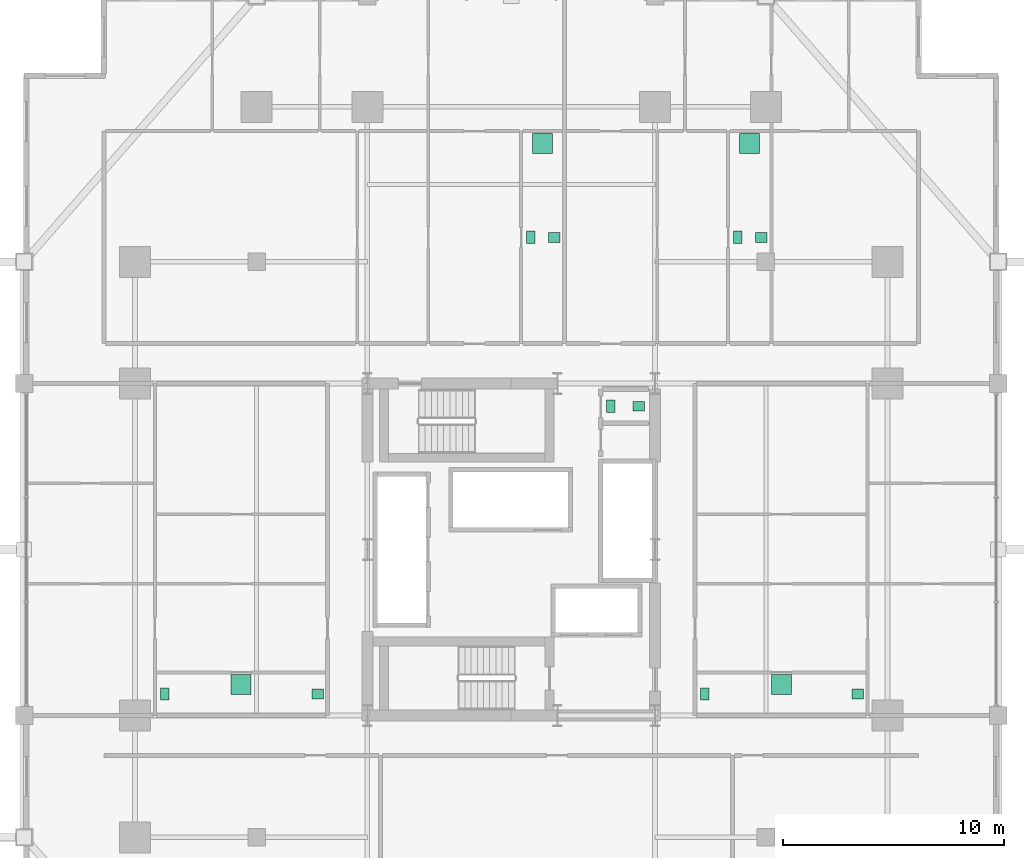
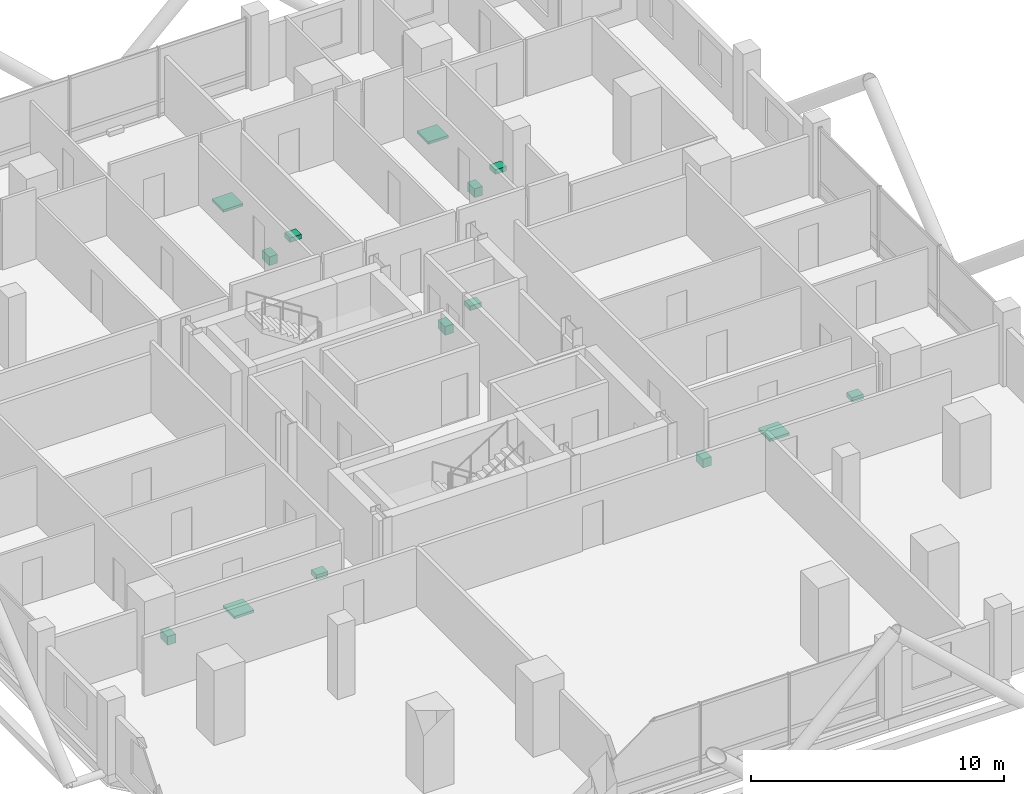
# One storey, part 27 of 27: 14 sanitary terminals.
"""IFC4 building model written with IfcOpenShell, lengths in metres."""

from ifc_helpers import new_model, si_unit, direction, frame, origin, origin_2d, place, context, subcontext, project, spatial, rectangle, extrude, material, type_object, element, save


model = new_model("IFC4")

# Units and contexts
model_context = context("Model", 3, precision=1e-05, world=origin(), true_north=direction((0.0, 1.0)))
body_context = subcontext(model_context, "Body", "Model", "MODEL_VIEW")
ifc_project = project(units=[si_unit("LENGTHUNIT", "METRE"), si_unit("AREAUNIT", "SQUARE_METRE"), si_unit("VOLUMEUNIT", "CUBIC_METRE"), si_unit("PLANEANGLEUNIT", "RADIAN"), si_unit("MASSUNIT", "GRAM", prefix="KILO")], contexts=[model_context])

# Site, building, storey
site_placement = place(None, origin())
site = spatial("IfcSite", under=ifc_project, at=site_placement, CompositionType="ELEMENT")
building_placement = place(site_placement, origin())
building = spatial("IfcBuilding", under=site, at=building_placement, Name="Barlavira Tower and Art Museum", CompositionType="ELEMENT")
storey_placement = place(building_placement, frame((0.0, 0.0, 61.199951171875)))
storey = spatial("IfcBuildingStorey", under=building, at=storey_placement, Name="L14", CompositionType="ELEMENT", Elevation=61.199951171875)

# Sanitary terminals
ifc_material = material(Name="Vitreous glazed ceramic", Category="ceramic")
sanitary_terminal_type_1 = type_object("IfcSanitaryTerminalType", Name="Countertop Ceramic Wash Hand Basin", PredefinedType="WASHHANDBASIN", material=ifc_material)
for number, where, z_axis, x_axis, name in (
    (1, (5.75, 6.47509765625, 0.740234375), (0.0, 0.0, 1.0), (1.0, 0.0, 0.0), "L14-C-WC1 Wash Basin"),
    (2, (1.93994140625, 14.10009765625, 0.740234375), (0.0, 0.0, 1.0), (1.0, 0.0, 0.0), "L14-N1-BTH1 Wash Basin"),
    (3, (11.2900390625, 14.10009765625, 0.740234375), (0.0, 0.0, 1.0), (1.0, 0.0, 0.0), "L14-N2-BTH1 Wash Basin"),
    (4, (-8.75, -6.52490234375, 0.740234375), (0.0, 0.0, 1.0), (1.0, 0.0, 0.0), "L14-W1-BTH1 Wash Basin"),
    (5, (15.64990234375, -6.52490234375, 0.740234375), (0.0, 0.0, 1.0), (1.0, 0.0, 0.0), "L14-E1-BTH1 Wash Basin"),
):
    element("IfcSanitaryTerminal", number, at=place(storey_placement, frame(where, z_axis=z_axis, x_axis=x_axis)), inside=storey, type_object=sanitary_terminal_type_1, Name=name, PredefinedType="WASHHANDBASIN", context=body_context, shape_type="SweptSolid", body=[
        extrude(rectangle(XDim=0.52001953125, YDim=0.43994140625, at=origin_2d()), origin(), (0.0, 0.0, 1.0), 0.219970703125),
    ])
sanitary_terminal_type_2 = type_object("IfcSanitaryTerminalType", Name="Walk-In Thermostatic Rain Shower Unit", PredefinedType="SHOWER", material=ifc_material)
for number, where, z_axis, x_axis, name in (
    (6, (1.4150390625, 18.35009765625, 0.0), (0.0, 0.0, 1.0), (1.0, 0.0, 0.0), "L14-N1-BTH1 Rain Shower"),
    (7, (10.764892578125, 18.35009765625, 0.0), (0.0, 0.0, 1.0), (1.0, 0.0, 0.0), "L14-N2-BTH1 Rain Shower"),
    (8, (-12.199951171875, -6.10009765625, 0.0), (0.0, 0.0, 1.0), (1.0, 0.0, 0.0), "L14-W1-BTH1 Rain Shower"),
    (9, (12.199951171875, -6.10009765625, 0.0), (0.0, 0.0, 1.0), (1.0, 0.0, 0.0), "L14-E1-BTH1 Rain Shower"),
):
    element("IfcSanitaryTerminal", number, at=place(storey_placement, frame(where, z_axis=z_axis, x_axis=x_axis)), inside=storey, type_object=sanitary_terminal_type_2, Name=name, PredefinedType="SHOWER", context=body_context, shape_type="SweptSolid", body=[
        extrude(rectangle(XDim=0.89990234375, YDim=0.89990234375, at=origin_2d()), origin(), (0.0, 0.0, 1.0), 0.1201171875),
    ])
sanitary_terminal_type_3 = type_object("IfcSanitaryTerminalType", Name="Wall-Hung Dual-Flush Vitreous WC Pan", PredefinedType="TOILETPAN", material=ifc_material)
for number, where, z_axis, x_axis, name in (
    (10, (4.5, 6.47509765625, 0.0), (0.0, 0.0, 1.0), (1.0, 0.0, 0.0), "L14-C-WC1 WC Pan"),
    (11, (0.889892578125, 14.10009765625, 0.0), (0.0, 0.0, 1.0), (1.0, 0.0, 0.0), "L14-N1-BTH1 WC Pan"),
    (12, (10.239990234375, 14.10009765625, 0.0), (0.0, 0.0, 1.0), (1.0, 0.0, 0.0), "L14-N2-BTH1 WC Pan"),
    (13, (-15.64990234375, -6.52490234375, 0.0), (0.0, 0.0, 1.0), (1.0, 0.0, 0.0), "L14-W1-BTH1 WC Pan"),
    (14, (8.75, -6.52490234375, 0.0), (0.0, 0.0, 1.0), (1.0, 0.0, 0.0), "L14-E1-BTH1 WC Pan"),
):
    element("IfcSanitaryTerminal", number, at=place(storey_placement, frame(where, z_axis=z_axis, x_axis=x_axis)), inside=storey, type_object=sanitary_terminal_type_3, Name=name, PredefinedType="TOILETPAN", context=body_context, shape_type="SweptSolid", body=[
        extrude(rectangle(XDim=0.3798828125, YDim=0.56005859375, at=origin_2d()), origin(), (0.0, 0.0, 1.0), 0.419921875),
    ])

save(model, "model.ifc")
